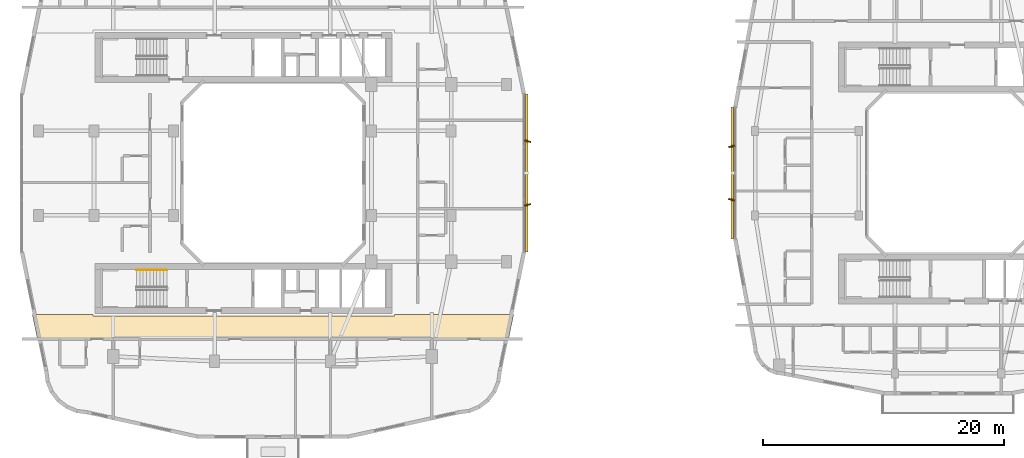
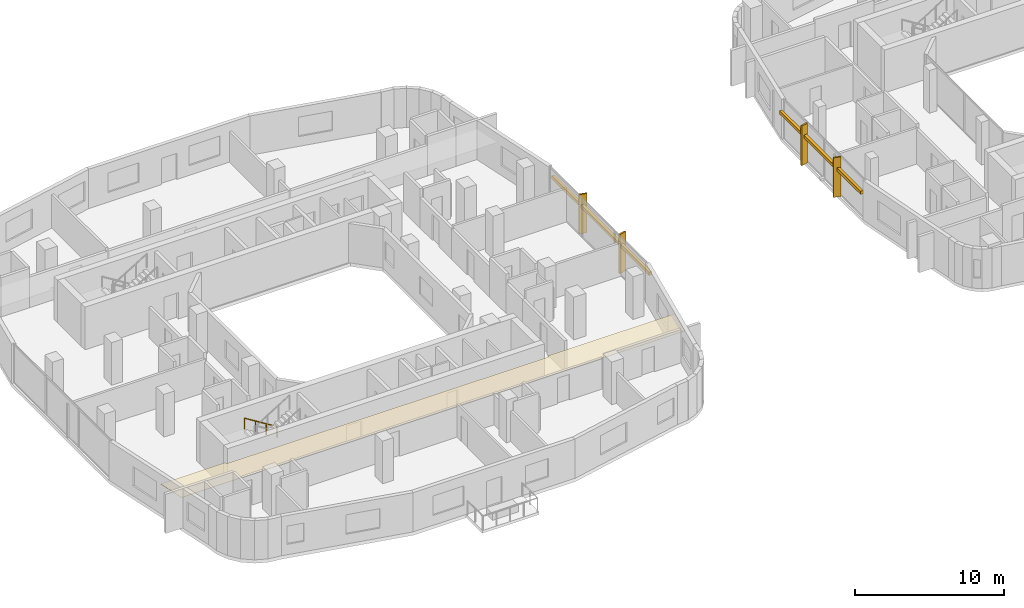
# One storey, part 20 of 24: 6 shading devices, 1 covering, 1 railing.
"""IFC4 building model written with IfcOpenShell, lengths in metres."""

from ifc_helpers import new_model, si_unit, derived_unit, direction, frame, origin, origin_2d, place, context, subcontext, project, spatial, polyline, rectangle, circle, outline, extrude, material, layer, layer_set, type_object, element, save


model = new_model("IFC4")

# Units and contexts
model_context = context("Model", 3, precision=1e-05, world=origin(), true_north=direction((0.0, 1.0)))
body_context = subcontext(model_context, "Body", "Model", "MODEL_VIEW")
ifc_project = project(units=[si_unit("LENGTHUNIT", "METRE"), si_unit("AREAUNIT", "SQUARE_METRE"), si_unit("VOLUMEUNIT", "CUBIC_METRE"), si_unit("PLANEANGLEUNIT", "RADIAN"), si_unit("MASSUNIT", "GRAM", prefix="KILO"), derived_unit("THERMALTRANSMITTANCEUNIT", [(si_unit("POWERUNIT", "WATT"), 1), (si_unit("LENGTHUNIT", "METRE"), -2), (si_unit("THERMODYNAMICTEMPERATUREUNIT", "KELVIN"), -1)])], contexts=[model_context])

# Site, building, storey
site_placement = place(None, origin())
site = spatial("IfcSite", under=ifc_project, at=site_placement, CompositionType="ELEMENT")
building_placement = place(site_placement, origin())
building = spatial("IfcBuilding", under=site, at=building_placement, Name="Kivonza Crest Hotel", CompositionType="ELEMENT")
storey_placement = place(building_placement, frame((0.0, 0.0, 80.0)))
storey = spatial("IfcBuildingStorey", under=building, at=storey_placement, Name="L21", CompositionType="ELEMENT", Elevation=80.0)

# Covering
ifc_material_1 = material(Name="Mineral-fibre acoustic ceiling tile", Category="gypsum")
ifc_layer = layer(ifc_material_1, 0.02490234375)
ifc_layer_set = layer_set([ifc_layer], Name="Mineral-fibre acoustic ceiling tile")
covering_type = type_object("IfcCoveringType", Name="CV-CEIL-ACOU", PredefinedType="CEILING", material=ifc_layer_set)
covering_placement = place(storey_placement, frame((0.0, 0.0, 2.449951171875)))
element("IfcCovering", 1, at=covering_placement, inside=storey, type_object=covering_type, Name="L21 Hotel South Guest Corridor suspended ceiling", PredefinedType="CEILING", context=body_context, shape_type="SweptSolid", body=[
    extrude(outline(polyline([(40.573974609375, 11.2099609375), (40.998046875, 13.2900390625), (31.10009765625, 13.2900390625), (31.10009765625, 13.139892578125), (6.10009765625, 13.139892578125), (6.10009765625, 13.2900390625), (1.08203125, 13.2900390625), (1.506103515625, 11.2099609375), (40.573974609375, 11.2099609375)])), origin(), (0.0, 0.0, 1.0), 0.025146484375),
])

# Railing
ifc_material_2 = material(Name="Brushed stainless steel handrail", Category="steel")
railing_type = type_object("IfcRailingType", Name="RL-HAND-900", PredefinedType="HANDRAIL", material=ifc_material_2)
railing_placement = place(storey_placement, frame((12.239990234375, 16.949951171875, 0.175048828125)))
element("IfcRailing", 2, at=railing_placement, inside=storey, type_object=railing_type, Name="L21 ST-T1-S stair handrail 1", PredefinedType="HANDRAIL", context=body_context, shape_type="SweptSolid", body=[
    extrude(circle(Radius=0.02392578125, at=origin_2d()), frame((0.0, 0.0, 0.8759765625), z_axis=(-0.848007534815, 0.0, 0.529984170421), x_axis=(0.0, -1.0, 0.0)), (0.0, 0.0, 1.0), 2.9716796875),
    extrude(circle(Radius=0.02099609375, at=origin_2d()), origin(), (0.0, 0.0, 1.0), 0.851806640625),
    extrude(circle(Radius=0.02099609375, at=origin_2d()), frame((-0.840087890625, 0.0, 0.52490234375)), (0.0, 0.0, 1.0), 0.851806640625),
    extrude(circle(Radius=0.02099609375, at=origin_2d()), frame((-1.679931640625, 0.0, 1.050048828125)), (0.0, 0.0, 1.0), 0.851806640625),
    extrude(circle(Radius=0.02099609375, at=origin_2d()), frame((-2.52001953125, 0.0, 1.574951171875)), (0.0, 0.0, 1.0), 0.851806640625),
])

# Shading devices
ifc_material_3 = material(Name="Kiln-fired Nairobi red-ochre terracotta", Category="masonry")
shading_device_type_1 = type_object("IfcShadingDeviceType", Name="SH-BAGUETTE-300", PredefinedType="USERDEFINED", material=ifc_material_3)
shading_device_1_placement = place(storey_placement, frame((42.080078125, 25.0, 2.1240234375), z_axis=(0.0, 0.0, 1.0), x_axis=(0.0, 1.0, 0.0)))
element("IfcShadingDevice", 3, at=shading_device_1_placement, inside=storey, type_object=shading_device_type_1, Name="L21 terracotta baguette screen CW-T1-L21-17", ObjectType="BAGUETTE", PredefinedType="USERDEFINED", context=body_context, shape_type="SweptSolid", body=[
    extrude(rectangle(XDim=13.080078125, YDim=0.219970703125, at=origin_2d()), origin(), (0.0, 0.0, 1.0), 0.260009765625),
])
shading_device_2_placement = place(storey_placement, frame((59.1201171875, 25.0, 2.14501953125), z_axis=(0.0, 0.0, 1.0), x_axis=(0.0, -1.0, 0.0)))
element("IfcShadingDevice", 4, at=shading_device_2_placement, inside=storey, type_object=shading_device_type_1, Name="L21 terracotta baguette screen CW-T2-L21-35", ObjectType="BAGUETTE", PredefinedType="USERDEFINED", context=body_context, shape_type="SweptSolid", body=[
    extrude(rectangle(XDim=10.919921875, YDim=0.219970703125, at=origin_2d()), origin(), (0.0, 0.0, 1.0), 0.260009765625),
])
ifc_material_4 = material(Name="Kiln-fired terracotta over extruded aluminium spine", Category="masonry")
shading_device_type_2 = type_object("IfcShadingDeviceType", Name="SH-FIN-550", PredefinedType="USERDEFINED", material=ifc_material_4)
for number, where, z_axis, x_axis, name in (
    (5, (42.139892578125, 22.360107421875, 0.0), (0.0, 0.0, 1.0), (-0.2419218956, 0.970295726276, 0.0), "L21 vertical solar shading fin CW-T1-L21-17-1"),
    (6, (42.139892578125, 27.639892578125, 0.0), (0.0, 0.0, 1.0), (0.2419218956, 0.970295726276, 0.0), "L21 vertical solar shading fin CW-T1-L21-17-2"),
):
    element("IfcShadingDevice", number, at=place(storey_placement, frame(where, z_axis=z_axis, x_axis=x_axis)), inside=storey, type_object=shading_device_type_2, Name=name, ObjectType="FIN", PredefinedType="USERDEFINED", context=body_context, shape_type="SweptSolid", body=[
        extrude(rectangle(XDim=0.1201171875, YDim=0.550048828125, at=origin_2d()), origin(), (0.0, 0.0, 1.0), 3.219970703125),
    ])
for number, where, z_axis, x_axis, name in (
    (7, (59.06005859375, 27.2080078125, 0.0), (0.0, 0.0, 1.0), (0.2419218956, -0.970295726276, 0.0), "L21 vertical solar shading fin CW-T2-L21-35-1"),
    (8, (59.06005859375, 22.7919921875, 0.0), (0.0, 0.0, 1.0), (-0.2419218956, -0.970295726276, 0.0), "L21 vertical solar shading fin CW-T2-L21-35-2"),
):
    element("IfcShadingDevice", number, at=place(storey_placement, frame(where, z_axis=z_axis, x_axis=x_axis)), inside=storey, type_object=shading_device_type_2, Name=name, ObjectType="FIN", PredefinedType="USERDEFINED", context=body_context, shape_type="SweptSolid", body=[
        extrude(rectangle(XDim=0.1201171875, YDim=0.550048828125, at=origin_2d()), origin(), (0.0, 0.0, 1.0), 3.25),
    ])

save(model, "model.ifc")
